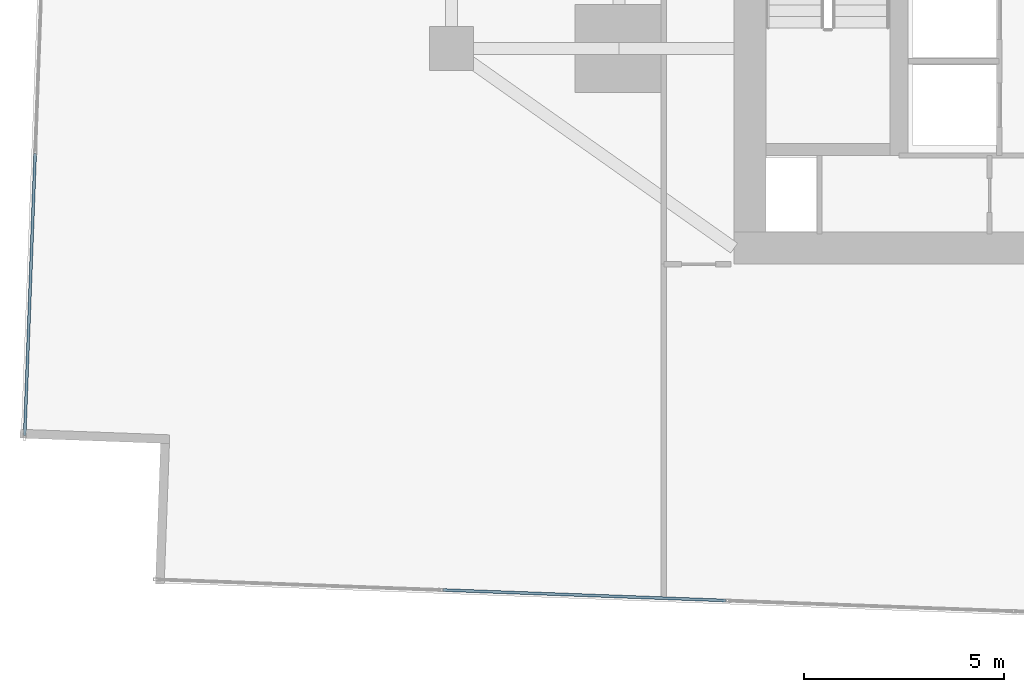
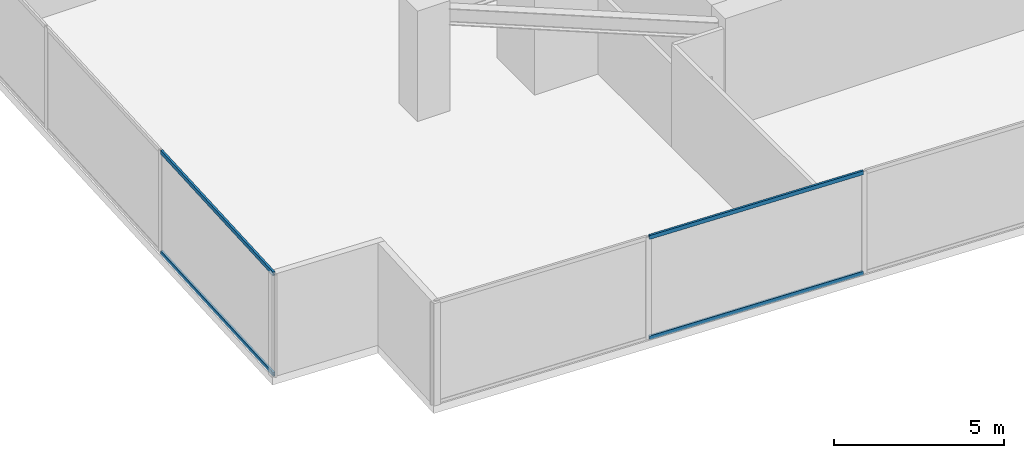
# One storey, part 3 of 30: 4 members, 2 elements without a shape of their own.
"""IFC4 building model written with IfcOpenShell, lengths in metres."""

import ifcopenshell
import ifcopenshell.guid

model = None  # the IFC model being written
_history = None  # IfcOwnerHistory: only IFC2X3 demands one
_inside = {}  # id of a spatial element -> (the spatial element, [elements in it])
_under = {}  # id of a project, library or spatial element -> (it, [spatial elements below it])
_declared = {}  # id of a project -> (the project, [libraries it declares])
_typed = {}  # id of a type object -> (the type object, [elements of that type])
_made_of = {}  # id of a material, layer set ... -> (it, [elements and type objects made of it])


def new_model(schema):
    """Start an empty IFC model of exactly this schema.

    Asked for "IFC4X3", IfcOpenShell would pick the latest addendum, in which some entities
    have other attributes; the version numbers below select the first issue.
    IFC2X3 requires an IfcOwnerHistory on every rooted entity: one is made here for all.
    """
    global model, _history
    if schema == "IFC4X3":
        model = ifcopenshell.file(schema_version=(4, 3, 0, 0))
    else:
        model = ifcopenshell.file(schema=schema)
    _inside.clear()
    _under.clear()
    _declared.clear()
    _typed.clear()
    _made_of.clear()
    _history = None
    if model.schema == "IFC2X3":
        org = make("IfcOrganization", Name="unknown")
        user = make(
            "IfcPersonAndOrganization",
            ThePerson=make("IfcPerson", FamilyName="unknown"),
            TheOrganization=org,
        )
        app = make(
            "IfcApplication",
            ApplicationDeveloper=org,
            Version="unknown",
            ApplicationFullName="unknown",
            ApplicationIdentifier="unknown",
        )
        _history = make(
            "IfcOwnerHistory",
            OwningUser=user,
            OwningApplication=app,
            ChangeAction="ADDED",
            CreationDate=0,
        )
    return model


def make(cls, **values):
    """One entity of the class cls with the attributes given. An attribute that is None is left unset."""
    return model.create_entity(
        cls, **{name: value for name, value in values.items() if value is not None}
    )


def rooted(cls, **values):
    """An entity with a GlobalId (a new one), such as an element, a storey or a relation."""
    return make(cls, GlobalId=ifcopenshell.guid.new(), OwnerHistory=_history, **values)


def si_unit(unit_type, name, prefix=None):
    """IfcSIUnit, for example si_unit("LENGTHUNIT", "METRE", prefix="MILLI")."""
    return make("IfcSIUnit", UnitType=unit_type, Prefix=prefix, Name=name)


def assignment(units):
    """IfcUnitAssignment: the units of a project."""
    return None if units is None else make("IfcUnitAssignment", Units=units)


def point(xyz):
    """IfcCartesianPoint."""
    return None if xyz is None else make("IfcCartesianPoint", Coordinates=xyz)


def direction(xyz):
    """IfcDirection."""
    return None if xyz is None else make("IfcDirection", DirectionRatios=xyz)


def frame(location, z_axis=None, x_axis=None):
    """IfcAxis2Placement3D, a coordinate frame: its origin and axes. An axis left out is left unset."""
    return make(
        "IfcAxis2Placement3D",
        Location=point(location),
        Axis=direction(z_axis),
        RefDirection=direction(x_axis),
    )


def frame_2d(location, x_axis=None):
    """IfcAxis2Placement2D, a coordinate frame in the plane: its origin and x axis."""
    return make(
        "IfcAxis2Placement2D", Location=point(location), RefDirection=direction(x_axis)
    )


def origin():
    """The frame at (0, 0, 0) with its axes left unset."""
    return frame((0.0, 0.0, 0.0))


def origin_2d():
    """The frame at (0, 0) in the plane with its x axis left unset."""
    return frame_2d((0.0, 0.0))


def place(relative_to, where):
    """IfcLocalPlacement: puts the frame where relative to a parent placement (None: the world)."""
    return make(
        "IfcLocalPlacement", PlacementRelTo=relative_to, RelativePlacement=where
    )


def context(
    kind, dimensions, precision=None, world=None, true_north=None, identifier=None
):
    """IfcGeometricRepresentationContext, for example the 3D "Model" context."""
    return make(
        "IfcGeometricRepresentationContext",
        ContextIdentifier=identifier,
        ContextType=kind,
        CoordinateSpaceDimension=dimensions,
        Precision=precision,
        WorldCoordinateSystem=world,
        TrueNorth=true_north,
    )


def subcontext(parent, identifier, kind, view, scale=None):
    """IfcGeometricRepresentationSubContext, for example "Body" below "Model"."""
    return make(
        "IfcGeometricRepresentationSubContext",
        ContextIdentifier=identifier,
        ContextType=kind,
        ParentContext=parent,
        TargetScale=scale,
        TargetView=view,
    )


def project(units=None, contexts=None):
    """IfcProject with its units and contexts."""
    return rooted(
        "IfcProject",
        Name="project",
        RepresentationContexts=contexts,
        UnitsInContext=assignment(units),
    )


def spatial(cls, under=None, at=None, **own):
    """A site, building, storey or space (cls), placed at a placement, below another one or the project."""
    s = rooted(cls, ObjectPlacement=at, **own)
    if under is not None:
        _under.setdefault(under.id(), (under, []))[1].append(s)
    return s


def profile(cls, at=None, kind="AREA", **sizes):
    """A parametric profile (cls). Its sizes go by their IFC names, for example OverallWidth=200.0."""
    return make(cls, ProfileType=kind, Position=at, **sizes)


def hollow_rectangle(**sizes):
    """IfcRectangleHollowProfileDef."""
    return profile("IfcRectangleHollowProfileDef", **sizes)


def extrude(swept, where, along, depth):
    """IfcExtrudedAreaSolid: the profile swept, set in the frame where, extruded along a direction by depth."""
    return make(
        "IfcExtrudedAreaSolid",
        SweptArea=swept,
        Position=where,
        ExtrudedDirection=direction(along),
        Depth=depth,
    )


def shape(context_of_items, identifier, shape_type, items):
    """IfcShapeRepresentation: the items that make up one representation, for example the "Body"."""
    return make(
        "IfcShapeRepresentation",
        ContextOfItems=context_of_items,
        RepresentationIdentifier=identifier,
        RepresentationType=shape_type,
        Items=items,
    )


def source(mapping_origin, context_of_items, identifier, shape_type, items):
    """IfcRepresentationMap: a shape defined once, which mapped items show again and again."""
    return make(
        "IfcRepresentationMap",
        MappingOrigin=mapping_origin,
        MappedRepresentation=shape(context_of_items, identifier, shape_type, items),
    )


def transform(
    local_origin,
    x_axis=None,
    y_axis=None,
    z_axis=None,
    scale=None,
    scale2=None,
    scale3=None,
    uniform=True,
):
    """IfcCartesianTransformationOperator3D, or its non-uniform kind. x_axis, y_axis, z_axis: its Axis1, 2, 3."""
    if uniform:
        return make(
            "IfcCartesianTransformationOperator3D",
            Axis1=direction(x_axis),
            Axis2=direction(y_axis),
            LocalOrigin=point(local_origin),
            Scale=scale,
            Axis3=direction(z_axis),
        )
    return make(
        "IfcCartesianTransformationOperator3DnonUniform",
        Axis1=direction(x_axis),
        Axis2=direction(y_axis),
        LocalOrigin=point(local_origin),
        Scale=scale,
        Axis3=direction(z_axis),
        Scale2=scale2,
        Scale3=scale3,
    )


def mapped(mapping_source, mapping_target):
    """IfcMappedItem: shows the shape of a source again, moved by a transform."""
    return make(
        "IfcMappedItem", MappingSource=mapping_source, MappingTarget=mapping_target
    )


def material(Name=None, Category=None):
    """IfcMaterial."""
    return make("IfcMaterial", Name=Name, Category=Category)


def material_profile(
    of_material, cross_section, Name=None, Category=None, Priority=None
):
    """IfcMaterialProfile: a cross section and its material."""
    return make(
        "IfcMaterialProfile",
        Name=Name,
        Material=of_material,
        Profile=cross_section,
        Priority=Priority,
        Category=Category,
    )


def profile_set(profiles, Name=None, composite=None):
    """IfcMaterialProfileSet."""
    return make(
        "IfcMaterialProfileSet",
        Name=Name,
        MaterialProfiles=profiles,
        CompositeProfile=composite,
    )


def made_of(thing, what):
    """Note that an element or type object is made of a material, layer set ...; save() writes the relation."""
    if what is not None:
        _made_of.setdefault(what.id(), (what, []))[1].append(thing)
    return thing


def type_object(cls, material=None, **own):
    """A type object (cls), such as IfcWallType, which elements share."""
    return made_of(rooted(cls, **own), material)


def type_shapes(of_type, sources):
    """Give a type object the sources (RepresentationMaps) that its elements show as mapped items."""
    of_type.RepresentationMaps = sources


def element(
    cls,
    number,
    at=None,
    inside=None,
    cuts=None,
    type_object=None,
    material=None,
    context=None,
    identifier="Body",
    shape_type=None,
    held_by="IfcProductDefinitionShape",
    body=None,
    shapes=None,
    **own,
):
    """One element of the class cls, such as IfcWall. Its Tag is "e" and its number.

    at: its placement. inside: the storey or other place that contains it. cuts: it is an
    opening in that element (IfcRelVoidsElement). A single representation is given by context,
    identifier, shape_type and body (its items); several are given by shapes. held_by: the class
    of the entity that holds the representations. save() writes the other relations.
    """
    e = rooted(cls, Tag="e%d" % number, ObjectPlacement=at, **own)
    if body is not None:
        shapes = [shape(context, identifier, shape_type, body)]
    if shapes is not None:
        e.Representation = make(held_by, Representations=shapes)
    if inside is not None:
        _inside.setdefault(inside.id(), (inside, []))[1].append(e)
    if cuts is not None:
        rooted(
            "IfcRelVoidsElement", RelatingBuildingElement=cuts, RelatedOpeningElement=e
        )
    if type_object is not None:
        _typed.setdefault(type_object.id(), (type_object, []))[1].append(e)
    return made_of(e, material)


def aggregate(whole, parts):
    """IfcRelAggregates: a whole, such as a stair, and the parts it consists of."""
    return rooted("IfcRelAggregates", RelatingObject=whole, RelatedObjects=parts)


def save(model, path):
    """Write the relations noted so far, then the file.

    IfcRelAggregates (storeys below a building ...), IfcRelContainedInSpatialStructure (elements
    in a storey), IfcRelDefinesByType, IfcRelAssociatesMaterial and IfcRelDeclares: one each for
    every whole, place, type object, material and project.
    """
    for whole, parts in _under.values():
        aggregate(whole, parts)
    for where, things in _inside.values():
        rooted(
            "IfcRelContainedInSpatialStructure",
            RelatedElements=things,
            RelatingStructure=where,
        )
    for kind, things in _typed.values():
        rooted("IfcRelDefinesByType", RelatedObjects=things, RelatingType=kind)
    for what, things in _made_of.values():
        rooted("IfcRelAssociatesMaterial", RelatedObjects=things, RelatingMaterial=what)
    for by, libraries in _declared.values():
        rooted("IfcRelDeclares", RelatingContext=by, RelatedDefinitions=libraries)
    model.write(path)


model = new_model("IFC4")

# Units and contexts
model_context = context("Model", 3, precision=1e-05, world=origin(), true_north=direction((0.0, 1.0)))
body_context = subcontext(model_context, "Body", "Model", "MODEL_VIEW")
ifc_project = project(units=[si_unit("LENGTHUNIT", "METRE"), si_unit("AREAUNIT", "SQUARE_METRE"), si_unit("VOLUMEUNIT", "CUBIC_METRE"), si_unit("PLANEANGLEUNIT", "RADIAN"), si_unit("MASSUNIT", "GRAM", prefix="KILO")], contexts=[model_context])

# Site, building, storey
site_placement = place(None, origin())
site = spatial("IfcSite", under=ifc_project, at=site_placement, CompositionType="ELEMENT")
building_placement = place(site_placement, origin())
building = spatial("IfcBuilding", under=site, at=building_placement, Name="Krantzveldt Concourse Tower", CompositionType="ELEMENT")
storey_placement = place(building_placement, frame((0.0, 0.0, 40.800048828125)))
storey = spatial("IfcBuildingStorey", under=building, at=storey_placement, Name="L09", CompositionType="ELEMENT", Elevation=40.800048828125)

# Curtain wall, members
ifc_material = material(Name="Anodised aluminium 6063-T6", Category="aluminium")
curtain_wall_type = type_object("IfcCurtainWallType", Name="CW2", PredefinedType="USERDEFINED", material=ifc_material)
curtain_wall_1_placement = place(storey_placement, origin())
curtain_wall_1 = element("IfcCurtainWall", 1, at=curtain_wall_1_placement, inside=storey, type_object=curtain_wall_type, Name="CW-L09-F01", ObjectType="UNITISED CURTAIN WALL", PredefinedType="USERDEFINED")
ifc_material_profile = material_profile(ifc_material, hollow_rectangle(XDim=0.070068359375, YDim=0.139892578125, WallThickness=0.0048828125, at=origin_2d()), Name="Anodised aluminium 6063-T6", Category="aluminium")
ifc_profile_set = profile_set([ifc_material_profile], Name="Anodised aluminium 6063-T6 - ALU-TRAN 140x70x5")
member_type = type_object("IfcMemberType", Name="CW-TRN-150", PredefinedType="USERDEFINED", material=ifc_profile_set)
shared_shape_1 = source(origin(), body_context, "Body", "SweptSolid", [
    extrude(hollow_rectangle(XDim=0.070068359375, YDim=0.139892578125, WallThickness=0.0048828125, at=origin_2d()), origin(), (0.0, 0.0, 1.0), 7.0615234375),
])
member_1_placement = place(storey_placement, frame((10.574462890625, 13.26513671875, 0.034912109375), z_axis=(-0.037097336281, -0.999311656912, 0.0), x_axis=(0.999311656912, -0.037097336281, 0.0)))
member_1 = element("IfcMember", 2, at=member_1_placement, type_object=member_type, Name="CW-Z12 transom 6.1", ObjectType="TRANSOM", PredefinedType="USERDEFINED", context=body_context, shape_type="MappedRepresentation", body=[
    mapped(shared_shape_1, transform((0.0, 0.0, 0.0), x_axis=(1.0, 0.0, 0.0), y_axis=(0.0, 1.0, 0.0), z_axis=(0.0, 0.0, 1.0), scale=1.0)),
])
member_2_placement = place(storey_placement, frame((10.574462890625, 13.26513671875, 3.635009765625), z_axis=(-0.037097336281, -0.999311656912, 0.0), x_axis=(0.999311656912, -0.037097336281, 0.0)))
member_2 = element("IfcMember", 3, at=member_2_placement, type_object=member_type, Name="CW-Z12 transom 6.2", ObjectType="TRANSOM", PredefinedType="USERDEFINED", context=body_context, shape_type="MappedRepresentation", body=[
    mapped(shared_shape_1, transform((0.0, 0.0, 0.0), x_axis=(1.0, 0.0, 0.0), y_axis=(0.0, 1.0, 0.0), z_axis=(0.0, 0.0, 1.0), scale=1.0)),
])
aggregate(curtain_wall_1, [member_1, member_2])

curtain_wall_2_placement = place(storey_placement, origin())
curtain_wall_2 = element("IfcCurtainWall", 4, at=curtain_wall_2_placement, inside=storey, type_object=curtain_wall_type, Name="CW-L09-F04", ObjectType="UNITISED CURTAIN WALL", PredefinedType="USERDEFINED")
shared_shape_2 = source(origin(), body_context, "Body", "SweptSolid", [
    extrude(hollow_rectangle(XDim=0.070068359375, YDim=0.139892578125, WallThickness=0.0048828125, at=origin_2d()), origin(), (0.0, 0.0, 1.0), 7.0966796875),
])
type_shapes(member_type, [shared_shape_1, shared_shape_2])
member_3_placement = place(storey_placement, frame((20.787841796875, 2.33740234375, 0.034912109375), z_axis=(0.999312097724, -0.037085459975, 0.0), x_axis=(0.037085459975, 0.999312097724, 0.0)))
member_3 = element("IfcMember", 5, at=member_3_placement, type_object=member_type, Name="CW-Z12 transom 2.1", ObjectType="TRANSOM", PredefinedType="USERDEFINED", context=body_context, shape_type="MappedRepresentation", body=[
    mapped(shared_shape_2, transform((0.0, 0.0, 0.0), x_axis=(1.0, 0.0, 0.0), y_axis=(0.0, 1.0, 0.0), z_axis=(0.0, 0.0, 1.0), scale=1.0)),
])
member_4_placement = place(storey_placement, frame((20.787841796875, 2.33740234375, 3.635009765625), z_axis=(0.999312097724, -0.037085459975, 0.0), x_axis=(0.037085459975, 0.999312097724, 0.0)))
member_4 = element("IfcMember", 6, at=member_4_placement, type_object=member_type, Name="CW-Z12 transom 2.2", ObjectType="TRANSOM", PredefinedType="USERDEFINED", context=body_context, shape_type="MappedRepresentation", body=[
    mapped(shared_shape_2, transform((0.0, 0.0, 0.0), x_axis=(1.0, 0.0, 0.0), y_axis=(0.0, 1.0, 0.0), z_axis=(0.0, 0.0, 1.0), scale=1.0)),
])
aggregate(curtain_wall_2, [member_3, member_4])

save(model, "model.ifc")
